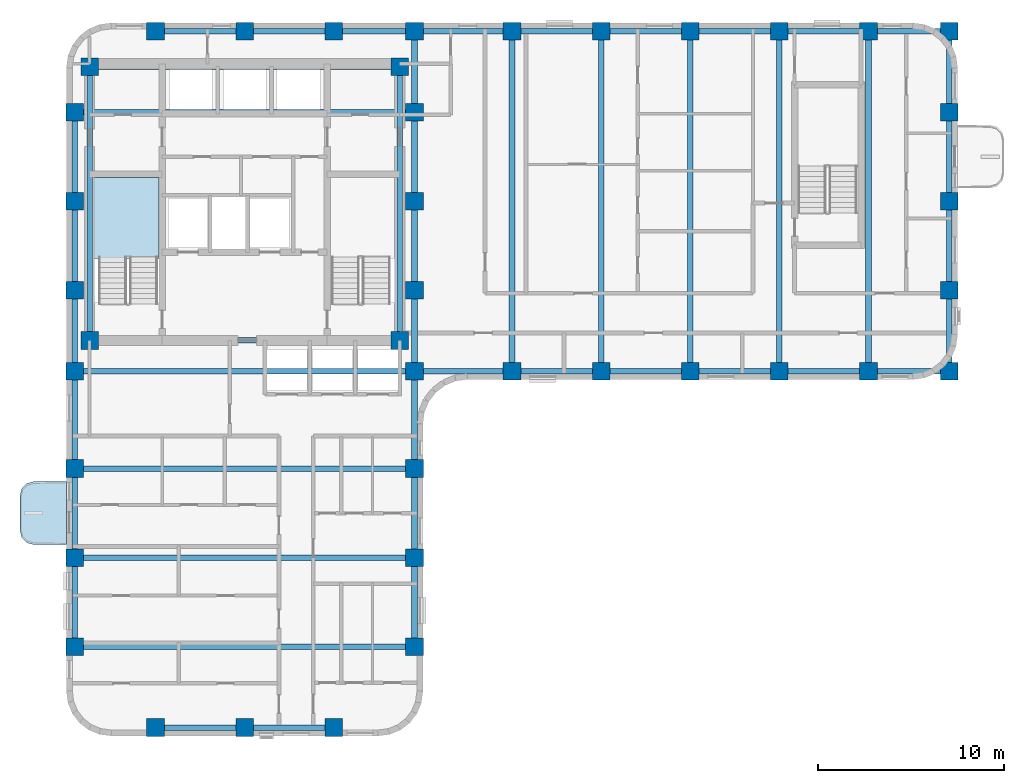
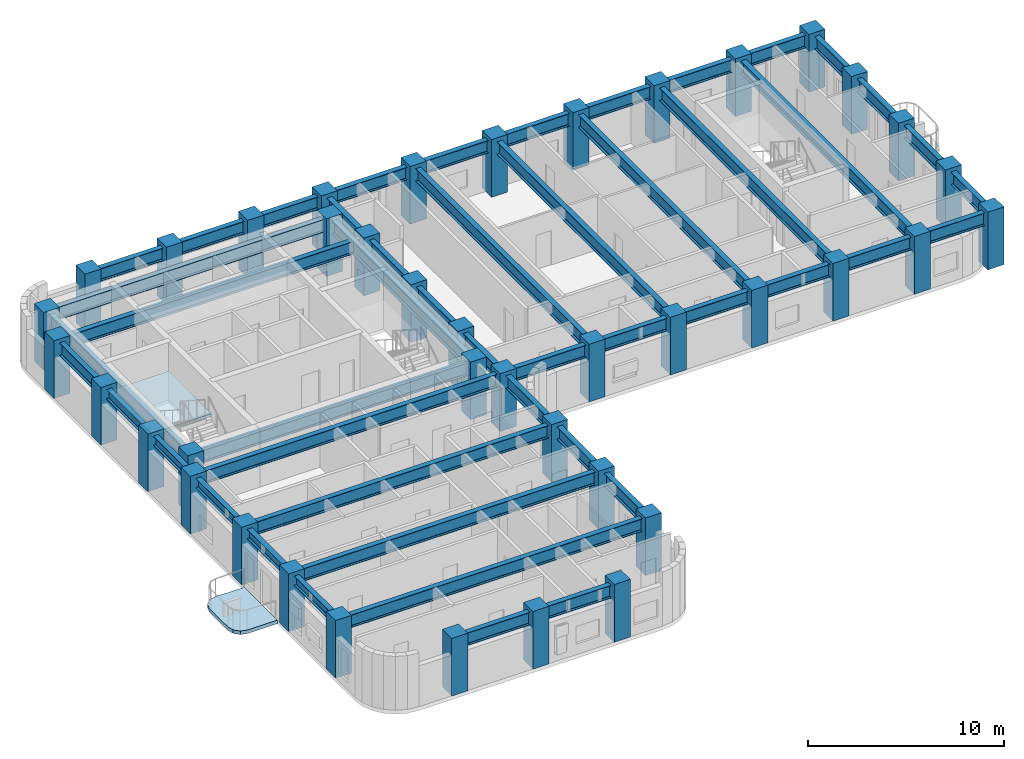
# One storey, part 1 of 10: 48 beams, 40 columns, 2 slabs, 1 element without a shape of its own.
"""IFC4 building model written with IfcOpenShell, lengths in metres."""

import ifcopenshell
import ifcopenshell.guid

model = None  # the IFC model being written
_history = None  # IfcOwnerHistory: only IFC2X3 demands one
_inside = {}  # id of a spatial element -> (the spatial element, [elements in it])
_under = {}  # id of a project, library or spatial element -> (it, [spatial elements below it])
_declared = {}  # id of a project -> (the project, [libraries it declares])
_typed = {}  # id of a type object -> (the type object, [elements of that type])
_made_of = {}  # id of a material, layer set ... -> (it, [elements and type objects made of it])


def new_model(schema):
    """Start an empty IFC model of exactly this schema.

    Asked for "IFC4X3", IfcOpenShell would pick the latest addendum, in which some entities
    have other attributes; the version numbers below select the first issue.
    IFC2X3 requires an IfcOwnerHistory on every rooted entity: one is made here for all.
    """
    global model, _history
    if schema == "IFC4X3":
        model = ifcopenshell.file(schema_version=(4, 3, 0, 0))
    else:
        model = ifcopenshell.file(schema=schema)
    _inside.clear()
    _under.clear()
    _declared.clear()
    _typed.clear()
    _made_of.clear()
    _history = None
    if model.schema == "IFC2X3":
        org = make("IfcOrganization", Name="unknown")
        user = make(
            "IfcPersonAndOrganization",
            ThePerson=make("IfcPerson", FamilyName="unknown"),
            TheOrganization=org,
        )
        app = make(
            "IfcApplication",
            ApplicationDeveloper=org,
            Version="unknown",
            ApplicationFullName="unknown",
            ApplicationIdentifier="unknown",
        )
        _history = make(
            "IfcOwnerHistory",
            OwningUser=user,
            OwningApplication=app,
            ChangeAction="ADDED",
            CreationDate=0,
        )
    return model


def make(cls, **values):
    """One entity of the class cls with the attributes given. An attribute that is None is left unset."""
    return model.create_entity(
        cls, **{name: value for name, value in values.items() if value is not None}
    )


def rooted(cls, **values):
    """An entity with a GlobalId (a new one), such as an element, a storey or a relation."""
    return make(cls, GlobalId=ifcopenshell.guid.new(), OwnerHistory=_history, **values)


def si_unit(unit_type, name, prefix=None):
    """IfcSIUnit, for example si_unit("LENGTHUNIT", "METRE", prefix="MILLI")."""
    return make("IfcSIUnit", UnitType=unit_type, Prefix=prefix, Name=name)


def assignment(units):
    """IfcUnitAssignment: the units of a project."""
    return None if units is None else make("IfcUnitAssignment", Units=units)


def point(xyz):
    """IfcCartesianPoint."""
    return None if xyz is None else make("IfcCartesianPoint", Coordinates=xyz)


def direction(xyz):
    """IfcDirection."""
    return None if xyz is None else make("IfcDirection", DirectionRatios=xyz)


def frame(location, z_axis=None, x_axis=None):
    """IfcAxis2Placement3D, a coordinate frame: its origin and axes. An axis left out is left unset."""
    return make(
        "IfcAxis2Placement3D",
        Location=point(location),
        Axis=direction(z_axis),
        RefDirection=direction(x_axis),
    )


def frame_2d(location, x_axis=None):
    """IfcAxis2Placement2D, a coordinate frame in the plane: its origin and x axis."""
    return make(
        "IfcAxis2Placement2D", Location=point(location), RefDirection=direction(x_axis)
    )


def origin():
    """The frame at (0, 0, 0) with its axes left unset."""
    return frame((0.0, 0.0, 0.0))


def origin_2d():
    """The frame at (0, 0) in the plane with its x axis left unset."""
    return frame_2d((0.0, 0.0))


def place(relative_to, where):
    """IfcLocalPlacement: puts the frame where relative to a parent placement (None: the world)."""
    return make(
        "IfcLocalPlacement", PlacementRelTo=relative_to, RelativePlacement=where
    )


def context(
    kind, dimensions, precision=None, world=None, true_north=None, identifier=None
):
    """IfcGeometricRepresentationContext, for example the 3D "Model" context."""
    return make(
        "IfcGeometricRepresentationContext",
        ContextIdentifier=identifier,
        ContextType=kind,
        CoordinateSpaceDimension=dimensions,
        Precision=precision,
        WorldCoordinateSystem=world,
        TrueNorth=true_north,
    )


def subcontext(parent, identifier, kind, view, scale=None):
    """IfcGeometricRepresentationSubContext, for example "Body" below "Model"."""
    return make(
        "IfcGeometricRepresentationSubContext",
        ContextIdentifier=identifier,
        ContextType=kind,
        ParentContext=parent,
        TargetScale=scale,
        TargetView=view,
    )


def project(units=None, contexts=None):
    """IfcProject with its units and contexts."""
    return rooted(
        "IfcProject",
        Name="project",
        RepresentationContexts=contexts,
        UnitsInContext=assignment(units),
    )


def spatial(cls, under=None, at=None, **own):
    """A site, building, storey or space (cls), placed at a placement, below another one or the project."""
    s = rooted(cls, ObjectPlacement=at, **own)
    if under is not None:
        _under.setdefault(under.id(), (under, []))[1].append(s)
    return s


def polyline(points):
    """IfcPolyline through the points."""
    return make("IfcPolyline", Points=[point(p) for p in points])


def profile(cls, at=None, kind="AREA", **sizes):
    """A parametric profile (cls). Its sizes go by their IFC names, for example OverallWidth=200.0."""
    return make(cls, ProfileType=kind, Position=at, **sizes)


def rectangle(**sizes):
    """IfcRectangleProfileDef."""
    return profile("IfcRectangleProfileDef", **sizes)


def i_section(**sizes):
    """IfcIShapeProfileDef."""
    return profile("IfcIShapeProfileDef", **sizes)


def outline(outer, holes=None, kind="AREA"):
    """IfcArbitraryClosedProfileDef: a profile drawn as a closed curve; with holes, ...WithVoids."""
    if holes is None:
        return make("IfcArbitraryClosedProfileDef", ProfileType=kind, OuterCurve=outer)
    return make(
        "IfcArbitraryProfileDefWithVoids",
        ProfileType=kind,
        OuterCurve=outer,
        InnerCurves=holes,
    )


def extrude(swept, where, along, depth):
    """IfcExtrudedAreaSolid: the profile swept, set in the frame where, extruded along a direction by depth."""
    return make(
        "IfcExtrudedAreaSolid",
        SweptArea=swept,
        Position=where,
        ExtrudedDirection=direction(along),
        Depth=depth,
    )


def shape(context_of_items, identifier, shape_type, items):
    """IfcShapeRepresentation: the items that make up one representation, for example the "Body"."""
    return make(
        "IfcShapeRepresentation",
        ContextOfItems=context_of_items,
        RepresentationIdentifier=identifier,
        RepresentationType=shape_type,
        Items=items,
    )


def material(Name=None, Category=None):
    """IfcMaterial."""
    return make("IfcMaterial", Name=Name, Category=Category)


def layer(
    of_material, thickness, ventilated=None, Name=None, Category=None, Priority=None
):
    """IfcMaterialLayer: one layer of a wall or slab, of a material (None: an air gap)."""
    return make(
        "IfcMaterialLayer",
        Material=of_material,
        LayerThickness=thickness,
        IsVentilated=ventilated,
        Name=Name,
        Category=Category,
        Priority=Priority,
    )


def layer_set(layers, Name=None):
    """IfcMaterialLayerSet."""
    return make("IfcMaterialLayerSet", MaterialLayers=layers, LayerSetName=Name)


def material_profile(
    of_material, cross_section, Name=None, Category=None, Priority=None
):
    """IfcMaterialProfile: a cross section and its material."""
    return make(
        "IfcMaterialProfile",
        Name=Name,
        Material=of_material,
        Profile=cross_section,
        Priority=Priority,
        Category=Category,
    )


def profile_set(profiles, Name=None, composite=None):
    """IfcMaterialProfileSet."""
    return make(
        "IfcMaterialProfileSet",
        Name=Name,
        MaterialProfiles=profiles,
        CompositeProfile=composite,
    )


def made_of(thing, what):
    """Note that an element or type object is made of a material, layer set ...; save() writes the relation."""
    if what is not None:
        _made_of.setdefault(what.id(), (what, []))[1].append(thing)
    return thing


def type_object(cls, material=None, **own):
    """A type object (cls), such as IfcWallType, which elements share."""
    return made_of(rooted(cls, **own), material)


def element(
    cls,
    number,
    at=None,
    inside=None,
    cuts=None,
    type_object=None,
    material=None,
    context=None,
    identifier="Body",
    shape_type=None,
    held_by="IfcProductDefinitionShape",
    body=None,
    shapes=None,
    **own,
):
    """One element of the class cls, such as IfcWall. Its Tag is "e" and its number.

    at: its placement. inside: the storey or other place that contains it. cuts: it is an
    opening in that element (IfcRelVoidsElement). A single representation is given by context,
    identifier, shape_type and body (its items); several are given by shapes. held_by: the class
    of the entity that holds the representations. save() writes the other relations.
    """
    e = rooted(cls, Tag="e%d" % number, ObjectPlacement=at, **own)
    if body is not None:
        shapes = [shape(context, identifier, shape_type, body)]
    if shapes is not None:
        e.Representation = make(held_by, Representations=shapes)
    if inside is not None:
        _inside.setdefault(inside.id(), (inside, []))[1].append(e)
    if cuts is not None:
        rooted(
            "IfcRelVoidsElement", RelatingBuildingElement=cuts, RelatedOpeningElement=e
        )
    if type_object is not None:
        _typed.setdefault(type_object.id(), (type_object, []))[1].append(e)
    return made_of(e, material)


def aggregate(whole, parts):
    """IfcRelAggregates: a whole, such as a stair, and the parts it consists of."""
    return rooted("IfcRelAggregates", RelatingObject=whole, RelatedObjects=parts)


def save(model, path):
    """Write the relations noted so far, then the file.

    IfcRelAggregates (storeys below a building ...), IfcRelContainedInSpatialStructure (elements
    in a storey), IfcRelDefinesByType, IfcRelAssociatesMaterial and IfcRelDeclares: one each for
    every whole, place, type object, material and project.
    """
    for whole, parts in _under.values():
        aggregate(whole, parts)
    for where, things in _inside.values():
        rooted(
            "IfcRelContainedInSpatialStructure",
            RelatedElements=things,
            RelatingStructure=where,
        )
    for kind, things in _typed.values():
        rooted("IfcRelDefinesByType", RelatedObjects=things, RelatingType=kind)
    for what, things in _made_of.values():
        rooted("IfcRelAssociatesMaterial", RelatedObjects=things, RelatingMaterial=what)
    for by, libraries in _declared.values():
        rooted("IfcRelDeclares", RelatingContext=by, RelatedDefinitions=libraries)
    model.write(path)


model = new_model("IFC4")

# Units and contexts
model_context = context("Model", 3, precision=1e-05, world=origin(), true_north=direction((0.0, 1.0)))
body_context = subcontext(model_context, "Body", "Model", "MODEL_VIEW")
ifc_project = project(units=[si_unit("LENGTHUNIT", "METRE"), si_unit("AREAUNIT", "SQUARE_METRE"), si_unit("VOLUMEUNIT", "CUBIC_METRE"), si_unit("PLANEANGLEUNIT", "RADIAN"), si_unit("MASSUNIT", "GRAM", prefix="KILO")], contexts=[model_context])

# Site, building, storey
site_placement = place(None, origin())
site = spatial("IfcSite", under=ifc_project, at=site_placement, CompositionType="ELEMENT")
building_placement = place(site_placement, origin())
building = spatial("IfcBuilding", under=site, at=building_placement, Name="Orvandelia Arch Residences", CompositionType="ELEMENT")
storey_placement = place(building_placement, frame((0.0, 0.0, 132.39990234375)))
storey = spatial("IfcBuildingStorey", under=building, at=storey_placement, Name="L34", CompositionType="ELEMENT", Elevation=132.39990234375)

# Columns
ifc_material_1 = material(Name="Concrete C60/75", Category="concrete")
ifc_material_profile_1 = material_profile(ifc_material_1, rectangle(XDim=0.949951171875, YDim=0.949951171875, at=origin_2d()), Name="Concrete C60/75", Category="concrete")
ifc_profile_set_1 = profile_set([ifc_material_profile_1], Name="Concrete C60/75")
column_type = type_object("IfcColumnType", Name="COL-TWR-950", PredefinedType="COLUMN", material=ifc_profile_set_1)
for number, where, z_axis, x_axis, name in (
    (1, (5.25, 14.39990234375, 0.0), (0.0, 0.0, 1.0), (1.0, 0.0, 0.0), "Structural Column L34-W-W-144"),
    (2, (5.25, 19.199951171875, 0.0), (0.0, 0.0, 1.0), (1.0, 0.0, 0.0), "Structural Column L34-W-W-192"),
    (3, (5.25, 24.0, 0.0), (0.0, 0.0, 1.0), (1.0, 0.0, 0.0), "Structural Column L34-W-W-240"),
    (4, (5.25, 29.25, 0.0), (0.0, 0.0, 1.0), (1.0, 0.0, 0.0), "Structural Column L34-W-W-292"),
    (5, (5.25, 33.60009765625, 0.0), (0.0, 0.0, 1.0), (1.0, 0.0, 0.0), "Structural Column L34-W-W-336"),
    (6, (5.25, 38.39990234375, 0.0), (0.0, 0.0, 1.0), (1.0, 0.0, 0.0), "Structural Column L34-W-W-384"),
    (7, (5.25, 43.199951171875, 0.0), (0.0, 0.0, 1.0), (1.0, 0.0, 0.0), "Structural Column L34-W-W-432"),
    (8, (6.050048828125, 30.89990234375, 0.0), (0.0, 0.0, 1.0), (1.0, 0.0, 0.0), "Structural Column L34-CR-SW"),
    (9, (6.050048828125, 45.64990234375, 0.0), (0.0, 0.0, 1.0), (1.0, 0.0, 0.0), "Structural Column L34-CR-NW"),
    (10, (9.60009765625, 10.050048828125, 0.0), (0.0, 0.0, 1.0), (1.0, 0.0, 0.0), "Structural Column L34-W-S-96"),
    (11, (9.60009765625, 47.550048828125, 0.0), (0.0, 0.0, 1.0), (1.0, 0.0, 0.0), "Structural Column L34-W-N-96"),
    (12, (14.39990234375, 10.050048828125, 0.0), (0.0, 0.0, 1.0), (1.0, 0.0, 0.0), "Structural Column L34-W-S-144"),
    (13, (14.39990234375, 47.550048828125, 0.0), (0.0, 0.0, 1.0), (1.0, 0.0, 0.0), "Structural Column L34-W-N-144"),
    (14, (19.199951171875, 10.050048828125, 0.0), (0.0, 0.0, 1.0), (1.0, 0.0, 0.0), "Structural Column L34-W-S-192"),
    (15, (19.199951171875, 47.550048828125, 0.0), (0.0, 0.0, 1.0), (1.0, 0.0, 0.0), "Structural Column L34-W-N-192"),
    (16, (22.75, 30.89990234375, 0.0), (0.0, 0.0, 1.0), (1.0, 0.0, 0.0), "Structural Column L34-CR-SE"),
    (17, (22.75, 45.64990234375, 0.0), (0.0, 0.0, 1.0), (1.0, 0.0, 0.0), "Structural Column L34-CR-NE"),
    (18, (23.550048828125, 14.39990234375, 0.0), (0.0, 0.0, 1.0), (1.0, 0.0, 0.0), "Structural Column L34-W-E-144"),
    (19, (23.550048828125, 19.199951171875, 0.0), (0.0, 0.0, 1.0), (1.0, 0.0, 0.0), "Structural Column L34-W-E-192"),
    (20, (23.550048828125, 24.0, 0.0), (0.0, 0.0, 1.0), (1.0, 0.0, 0.0), "Structural Column L34-W-E-240"),
    (21, (23.550048828125, 29.25, 0.0), (0.0, 0.0, 1.0), (1.0, 0.0, 0.0), "Structural Column L34-W-E-292"),
    (22, (23.550048828125, 33.60009765625, 0.0), (0.0, 0.0, 1.0), (1.0, 0.0, 0.0), "Structural Column L34-W-E-336"),
    (23, (23.550048828125, 38.39990234375, 0.0), (0.0, 0.0, 1.0), (1.0, 0.0, 0.0), "Structural Column L34-W-E-384"),
    (24, (23.550048828125, 43.199951171875, 0.0), (0.0, 0.0, 1.0), (1.0, 0.0, 0.0), "Structural Column L34-W-E-432"),
    (25, (23.550048828125, 47.550048828125, 0.0), (0.0, 0.0, 1.0), (1.0, 0.0, 0.0), "Structural Column L34-W-N-235"),
    (26, (28.800048828125, 29.25, 0.0), (0.0, 0.0, 1.0), (1.0, 0.0, 0.0), "Structural Column L34-E-S-288"),
    (27, (28.800048828125, 47.550048828125, 0.0), (0.0, 0.0, 1.0), (1.0, 0.0, 0.0), "Structural Column L34-E-N-288"),
    (28, (33.60009765625, 29.25, 0.0), (0.0, 0.0, 1.0), (1.0, 0.0, 0.0), "Structural Column L34-E-S-336"),
    (29, (33.60009765625, 47.550048828125, 0.0), (0.0, 0.0, 1.0), (1.0, 0.0, 0.0), "Structural Column L34-E-N-336"),
    (30, (38.39990234375, 29.25, 0.0), (0.0, 0.0, 1.0), (1.0, 0.0, 0.0), "Structural Column L34-E-S-384"),
    (31, (38.39990234375, 47.550048828125, 0.0), (0.0, 0.0, 1.0), (1.0, 0.0, 0.0), "Structural Column L34-E-N-384"),
    (32, (43.199951171875, 29.25, 0.0), (0.0, 0.0, 1.0), (1.0, 0.0, 0.0), "Structural Column L34-E-S-432"),
    (33, (43.199951171875, 47.550048828125, 0.0), (0.0, 0.0, 1.0), (1.0, 0.0, 0.0), "Structural Column L34-E-N-432"),
    (34, (48.0, 29.25, 0.0), (0.0, 0.0, 1.0), (1.0, 0.0, 0.0), "Structural Column L34-E-S-480"),
    (35, (48.0, 47.550048828125, 0.0), (0.0, 0.0, 1.0), (1.0, 0.0, 0.0), "Structural Column L34-E-N-480"),
    (36, (52.35009765625, 29.25, 0.0), (0.0, 0.0, 1.0), (1.0, 0.0, 0.0), "Structural Column L34-E-S-523"),
    (37, (52.35009765625, 33.60009765625, 0.0), (0.0, 0.0, 1.0), (1.0, 0.0, 0.0), "Structural Column L34-E-523-336"),
    (38, (52.35009765625, 38.39990234375, 0.0), (0.0, 0.0, 1.0), (1.0, 0.0, 0.0), "Structural Column L34-E-523-384"),
    (39, (52.35009765625, 43.199951171875, 0.0), (0.0, 0.0, 1.0), (1.0, 0.0, 0.0), "Structural Column L34-E-523-432"),
    (40, (52.35009765625, 47.550048828125, 0.0), (0.0, 0.0, 1.0), (1.0, 0.0, 0.0), "Structural Column L34-E-N-523"),
):
    element("IfcColumn", number, at=place(storey_placement, frame(where, z_axis=z_axis, x_axis=x_axis)), inside=storey, type_object=column_type, Name=name, PredefinedType="COLUMN", context=body_context, shape_type="SweptSolid", body=[
        extrude(rectangle(XDim=0.949951171875, YDim=0.949951171875, at=origin_2d()), origin(), (0.0, 0.0, 1.0), 3.60009765625),
    ])

# Beams
ifc_material_2 = material(Name="Structural Steel SM355 (355 MPa)", Category="steel")
ifc_material_profile_2 = material_profile(ifc_material_2, i_section(OverallWidth=0.300048828125, OverallDepth=0.800048828125, WebThickness=0.013916015625, FlangeThickness=0.02587890625, FilletRadius=0.02587890625, at=origin_2d()), Name="Structural Steel SM355 (355 MPa)", Category="steel")
ifc_profile_set_2 = profile_set([ifc_material_profile_2], Name="Structural Steel SM355 (355 MPa)")
beam_type_1 = type_object("IfcBeamType", Name="BM-GRD-H800", PredefinedType="BEAM", material=ifc_profile_set_2)
beam_1_placement = place(storey_placement, frame((5.25, 38.39990234375, 2.960205078125), z_axis=(0.0, 1.0, 0.0), x_axis=(-1.0, 0.0, 0.0)))
element("IfcBeam", 41, at=beam_1_placement, inside=storey, type_object=beam_type_1, Name="Structural Frame Beam L34-NS-006", PredefinedType="BEAM", context=body_context, shape_type="SweptSolid", body=[
    extrude(i_section(OverallWidth=0.300048828125, OverallDepth=0.800048828125, WebThickness=0.013916015625, FlangeThickness=0.02587890625, FilletRadius=0.02587890625, at=origin_2d()), origin(), (0.0, 0.0, 1.0), 4.800048828125),
])
for number, where, z_axis, x_axis, name in (
    (42, (6.050048828125, 30.89990234375, 2.960205078125), (0.0, 1.0, 0.0), (-1.0, 0.0, 0.0), "Structural Frame Beam L34-NS-007"),
    (43, (22.75, 30.89990234375, 2.960205078125), (0.0, 1.0, 0.0), (-1.0, 0.0, 0.0), "Structural Frame Beam L34-NS-008"),
):
    element("IfcBeam", number, at=place(storey_placement, frame(where, z_axis=z_axis, x_axis=x_axis)), inside=storey, type_object=beam_type_1, Name=name, PredefinedType="BEAM", context=body_context, shape_type="SweptSolid", body=[
        extrude(i_section(OverallWidth=0.300048828125, OverallDepth=0.800048828125, WebThickness=0.013916015625, FlangeThickness=0.02587890625, FilletRadius=0.02587890625, at=origin_2d()), origin(), (0.0, 0.0, 1.0), 14.75),
    ])
for number, where, z_axis, x_axis, name in (
    (44, (23.550048828125, 14.39990234375, 2.960205078125), (0.0, 1.0, 0.0), (-1.0, 0.0, 0.0), "Structural Frame Beam L34-NS-009"),
    (45, (23.550048828125, 19.199951171875, 2.960205078125), (0.0, 1.0, 0.0), (-1.0, 0.0, 0.0), "Structural Frame Beam L34-NS-010"),
):
    element("IfcBeam", number, at=place(storey_placement, frame(where, z_axis=z_axis, x_axis=x_axis)), inside=storey, type_object=beam_type_1, Name=name, PredefinedType="BEAM", context=body_context, shape_type="SweptSolid", body=[
        extrude(i_section(OverallWidth=0.300048828125, OverallDepth=0.800048828125, WebThickness=0.013916015625, FlangeThickness=0.02587890625, FilletRadius=0.02587890625, at=origin_2d()), origin(), (0.0, 0.0, 1.0), 4.800048828125),
    ])
beam_2_placement = place(storey_placement, frame((23.550048828125, 24.0, 2.960205078125), z_axis=(0.0, 1.0, 0.0), x_axis=(-1.0, 0.0, 0.0)))
element("IfcBeam", 46, at=beam_2_placement, inside=storey, type_object=beam_type_1, Name="Structural Frame Beam L34-NS-011", PredefinedType="BEAM", context=body_context, shape_type="SweptSolid", body=[
    extrude(i_section(OverallWidth=0.300048828125, OverallDepth=0.800048828125, WebThickness=0.013916015625, FlangeThickness=0.02587890625, FilletRadius=0.02587890625, at=origin_2d()), origin(), (0.0, 0.0, 1.0), 5.25),
])
beam_3_placement = place(storey_placement, frame((23.550048828125, 29.25, 2.960205078125), z_axis=(0.0, 1.0, 0.0), x_axis=(-1.0, 0.0, 0.0)))
element("IfcBeam", 47, at=beam_3_placement, inside=storey, type_object=beam_type_1, Name="Structural Frame Beam L34-NS-012", PredefinedType="BEAM", context=body_context, shape_type="SweptSolid", body=[
    extrude(i_section(OverallWidth=0.300048828125, OverallDepth=0.800048828125, WebThickness=0.013916015625, FlangeThickness=0.02587890625, FilletRadius=0.02587890625, at=origin_2d()), origin(), (0.0, 0.0, 1.0), 4.35009765625),
])
beam_4_placement = place(storey_placement, frame((23.550048828125, 33.60009765625, 2.960205078125), z_axis=(0.0, 1.0, 0.0), x_axis=(-1.0, 0.0, 0.0)))
element("IfcBeam", 48, at=beam_4_placement, inside=storey, type_object=beam_type_1, Name="Structural Frame Beam L34-NS-013", PredefinedType="BEAM", context=body_context, shape_type="SweptSolid", body=[
    extrude(i_section(OverallWidth=0.300048828125, OverallDepth=0.800048828125, WebThickness=0.013916015625, FlangeThickness=0.02587890625, FilletRadius=0.02587890625, at=origin_2d()), origin(), (0.0, 0.0, 1.0), 4.7998046875),
])
beam_5_placement = place(storey_placement, frame((23.550048828125, 38.39990234375, 2.960205078125), z_axis=(0.0, 1.0, 0.0), x_axis=(-1.0, 0.0, 0.0)))
element("IfcBeam", 49, at=beam_5_placement, inside=storey, type_object=beam_type_1, Name="Structural Frame Beam L34-NS-014", PredefinedType="BEAM", context=body_context, shape_type="SweptSolid", body=[
    extrude(i_section(OverallWidth=0.300048828125, OverallDepth=0.800048828125, WebThickness=0.013916015625, FlangeThickness=0.02587890625, FilletRadius=0.02587890625, at=origin_2d()), origin(), (0.0, 0.0, 1.0), 4.800048828125),
])
beam_6_placement = place(storey_placement, frame((23.550048828125, 43.199951171875, 2.960205078125), z_axis=(0.0, 1.0, 0.0), x_axis=(-1.0, 0.0, 0.0)))
element("IfcBeam", 50, at=beam_6_placement, inside=storey, type_object=beam_type_1, Name="Structural Frame Beam L34-NS-015", PredefinedType="BEAM", context=body_context, shape_type="SweptSolid", body=[
    extrude(i_section(OverallWidth=0.300048828125, OverallDepth=0.800048828125, WebThickness=0.013916015625, FlangeThickness=0.02587890625, FilletRadius=0.02587890625, at=origin_2d()), origin(), (0.0, 0.0, 1.0), 4.35009765625),
])
for number, where, z_axis, x_axis, name in (
    (51, (28.800048828125, 29.25, 2.960205078125), (0.0, 1.0, 0.0), (-1.0, 0.0, 0.0), "Structural Frame Beam L34-NS-016"),
    (52, (33.60009765625, 29.25, 2.960205078125), (0.0, 1.0, 0.0), (-1.0, 0.0, 0.0), "Structural Frame Beam L34-NS-017"),
    (53, (38.39990234375, 29.25, 2.960205078125), (0.0, 1.0, 0.0), (-1.0, 0.0, 0.0), "Structural Frame Beam L34-NS-018"),
    (54, (43.199951171875, 29.25, 2.960205078125), (0.0, 1.0, 0.0), (-1.0, 0.0, 0.0), "Structural Frame Beam L34-NS-019"),
    (55, (48.0, 29.25, 2.960205078125), (0.0, 1.0, 0.0), (-1.0, 0.0, 0.0), "Structural Frame Beam L34-NS-020"),
):
    element("IfcBeam", number, at=place(storey_placement, frame(where, z_axis=z_axis, x_axis=x_axis)), inside=storey, type_object=beam_type_1, Name=name, PredefinedType="BEAM", context=body_context, shape_type="SweptSolid", body=[
        extrude(i_section(OverallWidth=0.300048828125, OverallDepth=0.800048828125, WebThickness=0.013916015625, FlangeThickness=0.02587890625, FilletRadius=0.02587890625, at=origin_2d()), origin(), (0.0, 0.0, 1.0), 18.300048828125),
    ])
beam_7_placement = place(storey_placement, frame((52.35009765625, 29.25, 2.960205078125), z_axis=(0.0, 1.0, 0.0), x_axis=(-1.0, 0.0, 0.0)))
element("IfcBeam", 56, at=beam_7_placement, inside=storey, type_object=beam_type_1, Name="Structural Frame Beam L34-NS-021", PredefinedType="BEAM", context=body_context, shape_type="SweptSolid", body=[
    extrude(i_section(OverallWidth=0.300048828125, OverallDepth=0.800048828125, WebThickness=0.013916015625, FlangeThickness=0.02587890625, FilletRadius=0.02587890625, at=origin_2d()), origin(), (0.0, 0.0, 1.0), 4.35009765625),
])
beam_8_placement = place(storey_placement, frame((52.35009765625, 33.60009765625, 2.960205078125), z_axis=(0.0, 1.0, 0.0), x_axis=(-1.0, 0.0, 0.0)))
element("IfcBeam", 57, at=beam_8_placement, inside=storey, type_object=beam_type_1, Name="Structural Frame Beam L34-NS-022", PredefinedType="BEAM", context=body_context, shape_type="SweptSolid", body=[
    extrude(i_section(OverallWidth=0.300048828125, OverallDepth=0.800048828125, WebThickness=0.013916015625, FlangeThickness=0.02587890625, FilletRadius=0.02587890625, at=origin_2d()), origin(), (0.0, 0.0, 1.0), 4.7998046875),
])
beam_9_placement = place(storey_placement, frame((52.35009765625, 38.39990234375, 2.960205078125), z_axis=(0.0, 1.0, 0.0), x_axis=(-1.0, 0.0, 0.0)))
element("IfcBeam", 58, at=beam_9_placement, inside=storey, type_object=beam_type_1, Name="Structural Frame Beam L34-NS-023", PredefinedType="BEAM", context=body_context, shape_type="SweptSolid", body=[
    extrude(i_section(OverallWidth=0.300048828125, OverallDepth=0.800048828125, WebThickness=0.013916015625, FlangeThickness=0.02587890625, FilletRadius=0.02587890625, at=origin_2d()), origin(), (0.0, 0.0, 1.0), 4.800048828125),
])
beam_10_placement = place(storey_placement, frame((52.35009765625, 43.199951171875, 2.960205078125), z_axis=(0.0, 1.0, 0.0), x_axis=(-1.0, 0.0, 0.0)))
element("IfcBeam", 59, at=beam_10_placement, inside=storey, type_object=beam_type_1, Name="Structural Frame Beam L34-NS-024", PredefinedType="BEAM", context=body_context, shape_type="SweptSolid", body=[
    extrude(i_section(OverallWidth=0.300048828125, OverallDepth=0.800048828125, WebThickness=0.013916015625, FlangeThickness=0.02587890625, FilletRadius=0.02587890625, at=origin_2d()), origin(), (0.0, 0.0, 1.0), 4.35009765625),
])
beam_11_placement = place(storey_placement, frame((9.60009765625, 10.050048828125, 2.960205078125), z_axis=(1.0, 0.0, 0.0), x_axis=(0.0, 1.0, 0.0)))
element("IfcBeam", 60, at=beam_11_placement, inside=storey, type_object=beam_type_1, Name="Structural Frame Girder L34-EW-025", PredefinedType="BEAM", context=body_context, shape_type="SweptSolid", body=[
    extrude(i_section(OverallWidth=0.300048828125, OverallDepth=0.800048828125, WebThickness=0.013916015625, FlangeThickness=0.02587890625, FilletRadius=0.02587890625, at=origin_2d()), origin(), (0.0, 0.0, 1.0), 4.7998046875),
])
beam_12_placement = place(storey_placement, frame((14.39990234375, 10.050048828125, 2.960205078125), z_axis=(1.0, 0.0, 0.0), x_axis=(0.0, 1.0, 0.0)))
element("IfcBeam", 61, at=beam_12_placement, inside=storey, type_object=beam_type_1, Name="Structural Frame Girder L34-EW-026", PredefinedType="BEAM", context=body_context, shape_type="SweptSolid", body=[
    extrude(i_section(OverallWidth=0.300048828125, OverallDepth=0.800048828125, WebThickness=0.013916015625, FlangeThickness=0.02587890625, FilletRadius=0.02587890625, at=origin_2d()), origin(), (0.0, 0.0, 1.0), 4.800048828125),
])
for number, where, z_axis, x_axis, name in (
    (62, (5.25, 14.39990234375, 2.960205078125), (1.0, 0.0, 0.0), (0.0, 1.0, 0.0), "Structural Frame Girder L34-EW-027"),
    (63, (5.25, 19.199951171875, 2.960205078125), (1.0, 0.0, 0.0), (0.0, 1.0, 0.0), "Structural Frame Girder L34-EW-028"),
    (64, (5.25, 24.0, 2.960205078125), (1.0, 0.0, 0.0), (0.0, 1.0, 0.0), "Structural Frame Girder L34-EW-029"),
    (65, (5.25, 29.25, 2.960205078125), (1.0, 0.0, 0.0), (0.0, 1.0, 0.0), "Structural Frame Girder L34-EW-030"),
):
    element("IfcBeam", number, at=place(storey_placement, frame(where, z_axis=z_axis, x_axis=x_axis)), inside=storey, type_object=beam_type_1, Name=name, PredefinedType="BEAM", context=body_context, shape_type="SweptSolid", body=[
        extrude(i_section(OverallWidth=0.300048828125, OverallDepth=0.800048828125, WebThickness=0.013916015625, FlangeThickness=0.02587890625, FilletRadius=0.02587890625, at=origin_2d()), origin(), (0.0, 0.0, 1.0), 18.300048828125),
    ])
beam_13_placement = place(storey_placement, frame((23.550048828125, 29.25, 2.960205078125), z_axis=(1.0, 0.0, 0.0), x_axis=(0.0, 1.0, 0.0)))
element("IfcBeam", 66, at=beam_13_placement, inside=storey, type_object=beam_type_1, Name="Structural Frame Girder L34-EW-031", PredefinedType="BEAM", context=body_context, shape_type="SweptSolid", body=[
    extrude(i_section(OverallWidth=0.300048828125, OverallDepth=0.800048828125, WebThickness=0.013916015625, FlangeThickness=0.02587890625, FilletRadius=0.02587890625, at=origin_2d()), origin(), (0.0, 0.0, 1.0), 5.25),
])
beam_14_placement = place(storey_placement, frame((28.800048828125, 29.25, 2.960205078125), z_axis=(1.0, 0.0, 0.0), x_axis=(0.0, 1.0, 0.0)))
element("IfcBeam", 67, at=beam_14_placement, inside=storey, type_object=beam_type_1, Name="Structural Frame Girder L34-EW-032", PredefinedType="BEAM", context=body_context, shape_type="SweptSolid", body=[
    extrude(i_section(OverallWidth=0.300048828125, OverallDepth=0.800048828125, WebThickness=0.013916015625, FlangeThickness=0.02587890625, FilletRadius=0.02587890625, at=origin_2d()), origin(), (0.0, 0.0, 1.0), 4.800048828125),
])
beam_15_placement = place(storey_placement, frame((33.60009765625, 29.25, 2.960205078125), z_axis=(1.0, 0.0, 0.0), x_axis=(0.0, 1.0, 0.0)))
element("IfcBeam", 68, at=beam_15_placement, inside=storey, type_object=beam_type_1, Name="Structural Frame Girder L34-EW-033", PredefinedType="BEAM", context=body_context, shape_type="SweptSolid", body=[
    extrude(i_section(OverallWidth=0.300048828125, OverallDepth=0.800048828125, WebThickness=0.013916015625, FlangeThickness=0.02587890625, FilletRadius=0.02587890625, at=origin_2d()), origin(), (0.0, 0.0, 1.0), 4.7998046875),
])
for number, where, z_axis, x_axis, name in (
    (69, (38.39990234375, 29.25, 2.960205078125), (1.0, 0.0, 0.0), (0.0, 1.0, 0.0), "Structural Frame Girder L34-EW-034"),
    (70, (43.199951171875, 29.25, 2.960205078125), (1.0, 0.0, 0.0), (0.0, 1.0, 0.0), "Structural Frame Girder L34-EW-035"),
):
    element("IfcBeam", number, at=place(storey_placement, frame(where, z_axis=z_axis, x_axis=x_axis)), inside=storey, type_object=beam_type_1, Name=name, PredefinedType="BEAM", context=body_context, shape_type="SweptSolid", body=[
        extrude(i_section(OverallWidth=0.300048828125, OverallDepth=0.800048828125, WebThickness=0.013916015625, FlangeThickness=0.02587890625, FilletRadius=0.02587890625, at=origin_2d()), origin(), (0.0, 0.0, 1.0), 4.800048828125),
    ])
beam_16_placement = place(storey_placement, frame((48.0, 29.25, 2.960205078125), z_axis=(1.0, 0.0, 0.0), x_axis=(0.0, 1.0, 0.0)))
element("IfcBeam", 71, at=beam_16_placement, inside=storey, type_object=beam_type_1, Name="Structural Frame Girder L34-EW-036", PredefinedType="BEAM", context=body_context, shape_type="SweptSolid", body=[
    extrude(i_section(OverallWidth=0.300048828125, OverallDepth=0.800048828125, WebThickness=0.013916015625, FlangeThickness=0.02587890625, FilletRadius=0.02587890625, at=origin_2d()), origin(), (0.0, 0.0, 1.0), 4.35009765625),
])
beam_17_placement = place(storey_placement, frame((6.050048828125, 30.89990234375, 2.960205078125), z_axis=(1.0, 0.0, 0.0), x_axis=(0.0, 1.0, 0.0)))
element("IfcBeam", 72, at=beam_17_placement, inside=storey, type_object=beam_type_1, Name="Structural Frame Girder L34-EW-037", PredefinedType="BEAM", context=body_context, shape_type="SweptSolid", body=[
    extrude(i_section(OverallWidth=0.300048828125, OverallDepth=0.800048828125, WebThickness=0.013916015625, FlangeThickness=0.02587890625, FilletRadius=0.02587890625, at=origin_2d()), origin(), (0.0, 0.0, 1.0), 16.699951171875),
])
beam_18_placement = place(storey_placement, frame((5.25, 43.199951171875, 2.960205078125), z_axis=(1.0, 0.0, 0.0), x_axis=(0.0, 1.0, 0.0)))
element("IfcBeam", 73, at=beam_18_placement, inside=storey, type_object=beam_type_1, Name="Structural Frame Girder L34-EW-040", PredefinedType="BEAM", context=body_context, shape_type="SweptSolid", body=[
    extrude(i_section(OverallWidth=0.300048828125, OverallDepth=0.800048828125, WebThickness=0.013916015625, FlangeThickness=0.02587890625, FilletRadius=0.02587890625, at=origin_2d()), origin(), (0.0, 0.0, 1.0), 18.300048828125),
])
beam_19_placement = place(storey_placement, frame((6.050048828125, 45.64990234375, 2.960205078125), z_axis=(1.0, 0.0, 0.0), x_axis=(0.0, 1.0, 0.0)))
element("IfcBeam", 74, at=beam_19_placement, inside=storey, type_object=beam_type_1, Name="Structural Frame Girder L34-EW-041", PredefinedType="BEAM", context=body_context, shape_type="SweptSolid", body=[
    extrude(i_section(OverallWidth=0.300048828125, OverallDepth=0.800048828125, WebThickness=0.013916015625, FlangeThickness=0.02587890625, FilletRadius=0.02587890625, at=origin_2d()), origin(), (0.0, 0.0, 1.0), 16.699951171875),
])
beam_20_placement = place(storey_placement, frame((9.60009765625, 47.550048828125, 2.960205078125), z_axis=(1.0, 0.0, 0.0), x_axis=(0.0, 1.0, 0.0)))
element("IfcBeam", 75, at=beam_20_placement, inside=storey, type_object=beam_type_1, Name="Structural Frame Girder L34-EW-042", PredefinedType="BEAM", context=body_context, shape_type="SweptSolid", body=[
    extrude(i_section(OverallWidth=0.300048828125, OverallDepth=0.800048828125, WebThickness=0.013916015625, FlangeThickness=0.02587890625, FilletRadius=0.02587890625, at=origin_2d()), origin(), (0.0, 0.0, 1.0), 4.7998046875),
])
beam_21_placement = place(storey_placement, frame((14.39990234375, 47.550048828125, 2.960205078125), z_axis=(1.0, 0.0, 0.0), x_axis=(0.0, 1.0, 0.0)))
element("IfcBeam", 76, at=beam_21_placement, inside=storey, type_object=beam_type_1, Name="Structural Frame Girder L34-EW-043", PredefinedType="BEAM", context=body_context, shape_type="SweptSolid", body=[
    extrude(i_section(OverallWidth=0.300048828125, OverallDepth=0.800048828125, WebThickness=0.013916015625, FlangeThickness=0.02587890625, FilletRadius=0.02587890625, at=origin_2d()), origin(), (0.0, 0.0, 1.0), 4.800048828125),
])
beam_22_placement = place(storey_placement, frame((19.199951171875, 47.550048828125, 2.960205078125), z_axis=(1.0, 0.0, 0.0), x_axis=(0.0, 1.0, 0.0)))
element("IfcBeam", 77, at=beam_22_placement, inside=storey, type_object=beam_type_1, Name="Structural Frame Girder L34-EW-044", PredefinedType="BEAM", context=body_context, shape_type="SweptSolid", body=[
    extrude(i_section(OverallWidth=0.300048828125, OverallDepth=0.800048828125, WebThickness=0.013916015625, FlangeThickness=0.02587890625, FilletRadius=0.02587890625, at=origin_2d()), origin(), (0.0, 0.0, 1.0), 4.35009765625),
])
beam_23_placement = place(storey_placement, frame((23.550048828125, 47.550048828125, 2.960205078125), z_axis=(1.0, 0.0, 0.0), x_axis=(0.0, 1.0, 0.0)))
element("IfcBeam", 78, at=beam_23_placement, inside=storey, type_object=beam_type_1, Name="Structural Frame Girder L34-EW-045", PredefinedType="BEAM", context=body_context, shape_type="SweptSolid", body=[
    extrude(i_section(OverallWidth=0.300048828125, OverallDepth=0.800048828125, WebThickness=0.013916015625, FlangeThickness=0.02587890625, FilletRadius=0.02587890625, at=origin_2d()), origin(), (0.0, 0.0, 1.0), 5.25),
])
beam_24_placement = place(storey_placement, frame((28.800048828125, 47.550048828125, 2.960205078125), z_axis=(1.0, 0.0, 0.0), x_axis=(0.0, 1.0, 0.0)))
element("IfcBeam", 79, at=beam_24_placement, inside=storey, type_object=beam_type_1, Name="Structural Frame Girder L34-EW-046", PredefinedType="BEAM", context=body_context, shape_type="SweptSolid", body=[
    extrude(i_section(OverallWidth=0.300048828125, OverallDepth=0.800048828125, WebThickness=0.013916015625, FlangeThickness=0.02587890625, FilletRadius=0.02587890625, at=origin_2d()), origin(), (0.0, 0.0, 1.0), 4.800048828125),
])
beam_25_placement = place(storey_placement, frame((33.60009765625, 47.550048828125, 2.960205078125), z_axis=(1.0, 0.0, 0.0), x_axis=(0.0, 1.0, 0.0)))
element("IfcBeam", 80, at=beam_25_placement, inside=storey, type_object=beam_type_1, Name="Structural Frame Girder L34-EW-047", PredefinedType="BEAM", context=body_context, shape_type="SweptSolid", body=[
    extrude(i_section(OverallWidth=0.300048828125, OverallDepth=0.800048828125, WebThickness=0.013916015625, FlangeThickness=0.02587890625, FilletRadius=0.02587890625, at=origin_2d()), origin(), (0.0, 0.0, 1.0), 4.7998046875),
])
for number, where, z_axis, x_axis, name in (
    (81, (38.39990234375, 47.550048828125, 2.960205078125), (1.0, 0.0, 0.0), (0.0, 1.0, 0.0), "Structural Frame Girder L34-EW-048"),
    (82, (43.199951171875, 47.550048828125, 2.960205078125), (1.0, 0.0, 0.0), (0.0, 1.0, 0.0), "Structural Frame Girder L34-EW-049"),
):
    element("IfcBeam", number, at=place(storey_placement, frame(where, z_axis=z_axis, x_axis=x_axis)), inside=storey, type_object=beam_type_1, Name=name, PredefinedType="BEAM", context=body_context, shape_type="SweptSolid", body=[
        extrude(i_section(OverallWidth=0.300048828125, OverallDepth=0.800048828125, WebThickness=0.013916015625, FlangeThickness=0.02587890625, FilletRadius=0.02587890625, at=origin_2d()), origin(), (0.0, 0.0, 1.0), 4.800048828125),
    ])
beam_26_placement = place(storey_placement, frame((48.0, 47.550048828125, 2.960205078125), z_axis=(1.0, 0.0, 0.0), x_axis=(0.0, 1.0, 0.0)))
element("IfcBeam", 83, at=beam_26_placement, inside=storey, type_object=beam_type_1, Name="Structural Frame Girder L34-EW-050", PredefinedType="BEAM", context=body_context, shape_type="SweptSolid", body=[
    extrude(i_section(OverallWidth=0.300048828125, OverallDepth=0.800048828125, WebThickness=0.013916015625, FlangeThickness=0.02587890625, FilletRadius=0.02587890625, at=origin_2d()), origin(), (0.0, 0.0, 1.0), 4.35009765625),
])
ifc_material_profile_3 = material_profile(ifc_material_2, i_section(OverallWidth=0.300048828125, OverallDepth=0.587890625, WebThickness=0.011962890625, FlangeThickness=0.02001953125, FilletRadius=0.02197265625, at=origin_2d()), Name="Structural Steel SM355 (355 MPa)", Category="steel")
ifc_profile_set_3 = profile_set([ifc_material_profile_3], Name="Structural Steel SM355 (355 MPa)")
beam_type_2 = type_object("IfcBeamType", Name="BM-SPN-H588", PredefinedType="SPANDREL", material=ifc_profile_set_3)
for number, where, z_axis, x_axis, name in (
    (84, (5.25, 14.39990234375, 3.066162109375), (0.0, 1.0, 0.0), (-1.0, 0.0, 0.0), "Structural Frame Beam L34-NS-001"),
    (85, (5.25, 19.199951171875, 3.066162109375), (0.0, 1.0, 0.0), (-1.0, 0.0, 0.0), "Structural Frame Beam L34-NS-002"),
):
    element("IfcBeam", number, at=place(storey_placement, frame(where, z_axis=z_axis, x_axis=x_axis)), inside=storey, type_object=beam_type_2, Name=name, PredefinedType="SPANDREL", context=body_context, shape_type="SweptSolid", body=[
        extrude(i_section(OverallWidth=0.300048828125, OverallDepth=0.587890625, WebThickness=0.011962890625, FlangeThickness=0.02001953125, FilletRadius=0.02197265625, at=origin_2d()), origin(), (0.0, 0.0, 1.0), 4.800048828125),
    ])
beam_27_placement = place(storey_placement, frame((5.25, 24.0, 3.066162109375), z_axis=(0.0, 1.0, 0.0), x_axis=(-1.0, 0.0, 0.0)))
element("IfcBeam", 86, at=beam_27_placement, inside=storey, type_object=beam_type_2, Name="Structural Frame Beam L34-NS-003", PredefinedType="SPANDREL", context=body_context, shape_type="SweptSolid", body=[
    extrude(i_section(OverallWidth=0.300048828125, OverallDepth=0.587890625, WebThickness=0.011962890625, FlangeThickness=0.02001953125, FilletRadius=0.02197265625, at=origin_2d()), origin(), (0.0, 0.0, 1.0), 5.25),
])
beam_28_placement = place(storey_placement, frame((5.25, 29.25, 3.066162109375), z_axis=(0.0, 1.0, 0.0), x_axis=(-1.0, 0.0, 0.0)))
element("IfcBeam", 87, at=beam_28_placement, inside=storey, type_object=beam_type_2, Name="Structural Frame Beam L34-NS-004", PredefinedType="SPANDREL", context=body_context, shape_type="SweptSolid", body=[
    extrude(i_section(OverallWidth=0.300048828125, OverallDepth=0.587890625, WebThickness=0.011962890625, FlangeThickness=0.02001953125, FilletRadius=0.02197265625, at=origin_2d()), origin(), (0.0, 0.0, 1.0), 4.35009765625),
])
beam_29_placement = place(storey_placement, frame((5.25, 33.60009765625, 3.066162109375), z_axis=(0.0, 1.0, 0.0), x_axis=(-1.0, 0.0, 0.0)))
element("IfcBeam", 88, at=beam_29_placement, inside=storey, type_object=beam_type_2, Name="Structural Frame Beam L34-NS-005", PredefinedType="SPANDREL", context=body_context, shape_type="SweptSolid", body=[
    extrude(i_section(OverallWidth=0.300048828125, OverallDepth=0.587890625, WebThickness=0.011962890625, FlangeThickness=0.02001953125, FilletRadius=0.02197265625, at=origin_2d()), origin(), (0.0, 0.0, 1.0), 4.7998046875),
])

# Slab
ifc_material_3 = material(Name="Precast concrete C40/50", Category="concrete")
ifc_layer_1 = layer(ifc_material_3, 0.219970703125, Name="Precast concrete C40/50", Category="concrete")
ifc_layer_set_1 = layer_set([ifc_layer_1], Name="Precast concrete C40/50")
slab_type_1 = type_object("IfcSlabType", Name="SLB-BAL-220", PredefinedType="USERDEFINED", material=ifc_layer_set_1)
slab_1_placement = place(storey_placement, frame((0.0, 0.0, -0.219970703125)))
element("IfcSlab", 89, at=slab_1_placement, inside=storey, type_object=slab_type_1, Name="Tree Balcony Cantilever Slab BAL-L34-W1", ObjectType="BALCONY", PredefinedType="USERDEFINED", context=body_context, shape_type="SweptSolid", body=[
    extrude(outline(polyline([(4.800048828125, 19.89990234375), (4.800048828125, 23.300048828125), (3.050048828125, 23.300048828125), (2.675048828125, 23.199462890625), (2.400390625, 22.925048828125), (2.300048828125, 22.550048828125), (2.300048828125, 20.64990234375), (2.400390625, 20.27490234375), (2.675048828125, 20.00048828125), (3.050048828125, 19.89990234375), (4.800048828125, 19.89990234375)])), origin(), (0.0, 0.0, 1.0), 0.219970703125),
])

# Stair, slab
ifc_material_4 = material(Name="Concrete C40/50", Category="concrete")
stair_type = type_object("IfcStairType", Name="STAIR-RC-DOGLEG", PredefinedType="HALF_TURN_STAIR", material=ifc_material_4)
stair_placement = place(storey_placement, origin())
stair = element("IfcStair", 90, at=stair_placement, inside=storey, type_object=stair_type, Name="L34 Protected Exit Stair ST-1", PredefinedType="HALF_TURN_STAIR")
ifc_layer_2 = layer(ifc_material_4, 0.219970703125, Name="Concrete C40/50", Category="concrete")
ifc_layer_set_2 = layer_set([ifc_layer_2], Name="Concrete C40/50")
slab_type_2 = type_object("IfcSlabType", Name="SLB-LANDING-220", PredefinedType="LANDING", material=ifc_layer_set_2)
slab_2_placement = place(storey_placement, frame((0.0, 0.0, 1.60009765625)))
slab_2 = element("IfcSlab", 91, at=slab_2_placement, type_object=slab_type_2, Name="ST-1 landing 1", PredefinedType="LANDING", context=body_context, shape_type="SweptSolid", body=[
    extrude(outline(polyline([(9.800048828125, 35.31005859375), (9.800048828125, 39.68994140625), (6.260009765625, 39.68994140625), (6.260009765625, 35.31005859375), (9.800048828125, 35.31005859375)])), origin(), (0.0, 0.0, 1.0), 0.199951171875),
])
aggregate(stair, [slab_2])

save(model, "model.ifc")
